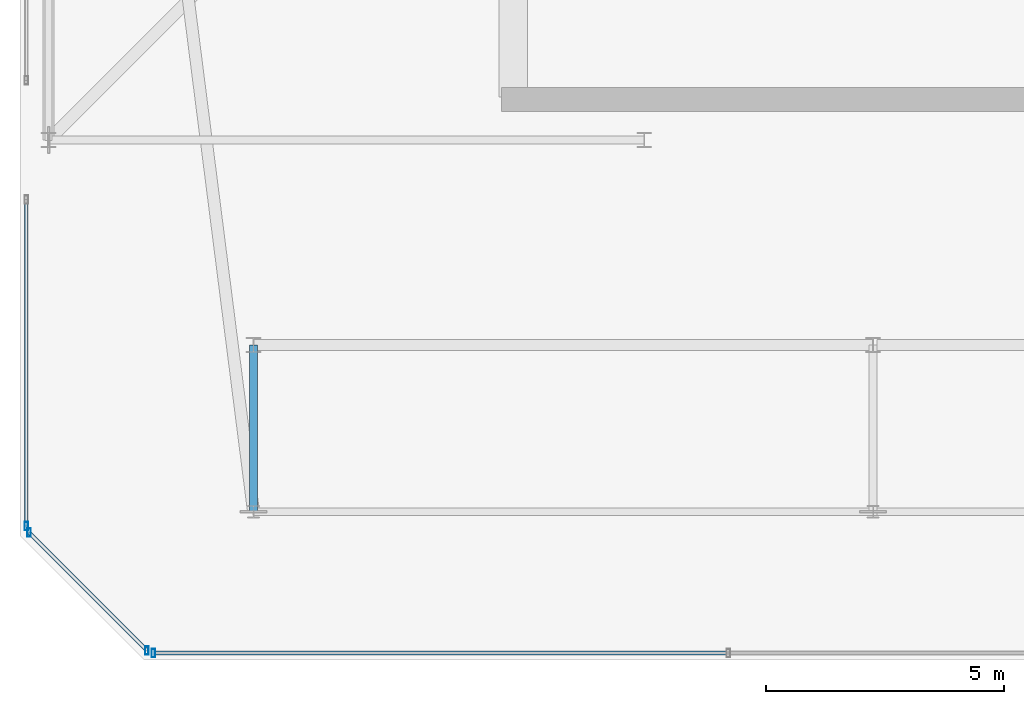
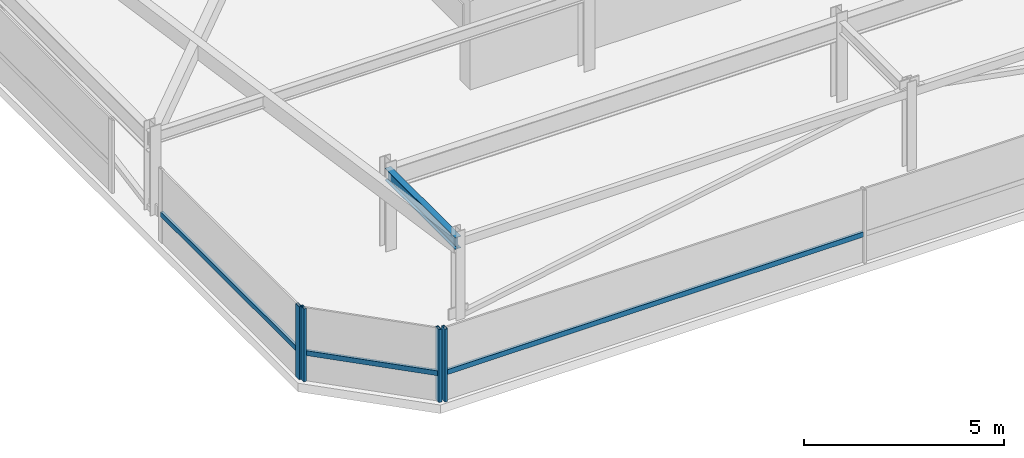
# One storey, part 9 of 44: 7 members, 1 beam, 3 elements without a shape of their own.
"""IFC4 building model written with IfcOpenShell, lengths in metres."""

from ifc_helpers import new_model, si_unit, direction, frame, origin, origin_2d, place, context, subcontext, project, spatial, hollow_rectangle, i_section, extrude, material, material_profile, profile_set, type_object, element, aggregate, save


model = new_model("IFC4")

# Units and contexts
model_context = context("Model", 3, precision=1e-05, world=origin(), true_north=direction((0.0, 1.0)))
body_context = subcontext(model_context, "Body", "Model", "MODEL_VIEW")
ifc_project = project(units=[si_unit("LENGTHUNIT", "METRE"), si_unit("AREAUNIT", "SQUARE_METRE"), si_unit("VOLUMEUNIT", "CUBIC_METRE"), si_unit("PLANEANGLEUNIT", "RADIAN"), si_unit("MASSUNIT", "GRAM", prefix="KILO")], contexts=[model_context])

# Site, building, storey
site_placement = place(None, origin())
site = spatial("IfcSite", under=ifc_project, at=site_placement, CompositionType="ELEMENT")
building_placement = place(site_placement, origin())
building = spatial("IfcBuilding", under=site, at=building_placement, Name="Thornwick Lancets Civic Towers", CompositionType="ELEMENT")
storey_placement = place(building_placement, frame((0.0, 0.0, 294.89990234375)))
storey = spatial("IfcBuildingStorey", under=building, at=storey_placement, Name="C06", CompositionType="ELEMENT", Elevation=294.89990234375)

# Beam
ifc_material_1 = material(Name="Steel S355JR", Category="steel")
ifc_material_profile_1 = material_profile(ifc_material_1, i_section(OverallWidth=0.173095703125, OverallDepth=0.36328125, WebThickness=0.009033203125, FlangeThickness=0.015625, FilletRadius=0.01025390625, at=origin_2d()), Name="UKB 356x171x67")
ifc_profile_set_1 = profile_set([ifc_material_profile_1], Name="Steel S355JR")
beam_type = type_object("IfcBeamType", Name="BM_JOIST_356_67", PredefinedType="JOIST", material=ifc_profile_set_1)
beam_placement = place(storey_placement, frame((12.5, 9.699951171875, 2.25830078125), z_axis=(0.0, -1.0, 0.0), x_axis=(1.0, 0.0, 0.0)))
element("IfcBeam", 1, at=beam_placement, inside=storey, type_object=beam_type, Name="BM-RAD-C06-A01", PredefinedType="JOIST", context=body_context, shape_type="SweptSolid", body=[
    extrude(i_section(OverallWidth=0.173095703125, OverallDepth=0.36328125, WebThickness=0.009033203125, FlangeThickness=0.015625, FilletRadius=0.01025390625, at=origin_2d()), origin(), (0.0, 0.0, 1.0), 3.5),
])

# Curtain wall, member
ifc_material_2 = material(Name="Crown ring acoustic-louvre and glazing screen wall", Category="glass")
curtain_wall_type = type_object("IfcCurtainWallType", Name="CW_SYS_07", PredefinedType="NOTDEFINED", material=ifc_material_2)
curtain_wall_1_placement = place(storey_placement, origin())
curtain_wall_1 = element("IfcCurtainWall", 2, at=curtain_wall_1_placement, inside=storey, type_object=curtain_wall_type, Name="C06 Curtain Wall CW-C06-A-E0", PredefinedType="NOTDEFINED")
ifc_material_3 = material(Name="Thermally broken bronze aluminium S355", Category="steel")
ifc_material_profile_2 = material_profile(ifc_material_3, hollow_rectangle(XDim=0.074951171875, YDim=0.179931640625, WallThickness=0.006103515625, at=origin_2d()), Name="RHS 180x75x6")
ifc_profile_set_2 = profile_set([ifc_material_profile_2], Name="Thermally broken bronze aluminium S355")
member_type_1 = type_object("IfcMemberType", Name="CW_MUL_180", PredefinedType="MULLION", material=ifc_profile_set_2)
member_1_placement = place(storey_placement, frame((10.398681640625, 3.2353515625, 0.0), z_axis=(0.0, 0.0, 1.0), x_axis=(1.0, 0.0, 0.0)))
member_1 = element("IfcMember", 3, at=member_1_placement, type_object=member_type_1, Name="CW-C06-A-E0 Mullion 0", PredefinedType="MULLION", context=body_context, shape_type="SweptSolid", body=[
    extrude(hollow_rectangle(XDim=0.074951171875, YDim=0.179931640625, WallThickness=0.006103515625, at=origin_2d()), origin(), (0.0, 0.0, 1.0), 2.22021484375),
])

curtain_wall_2_placement = place(storey_placement, origin())
curtain_wall_2 = element("IfcCurtainWall", 4, at=curtain_wall_2_placement, inside=storey, type_object=curtain_wall_type, Name="C06 Curtain Wall CW-C06-A-E6-S3", PredefinedType="NOTDEFINED")
member_2_placement = place(storey_placement, frame((7.7353515625, 5.898681640625, 0.0), z_axis=(0.0, 0.0, 1.0), x_axis=(1.0, 0.0, 0.0)))
member_2 = element("IfcMember", 5, at=member_2_placement, type_object=member_type_1, Name="CW-C06-A-E6-S3 Mullion 1", PredefinedType="MULLION", context=body_context, shape_type="SweptSolid", body=[
    extrude(hollow_rectangle(XDim=0.074951171875, YDim=0.179931640625, WallThickness=0.006103515625, at=origin_2d()), origin(), (0.0, 0.0, 1.0), 2.22021484375),
])

# Curtain wall, members
curtain_wall_3_placement = place(storey_placement, origin())
curtain_wall_3 = element("IfcCurtainWall", 6, at=curtain_wall_3_placement, inside=storey, type_object=curtain_wall_type, Name="C06 Curtain Wall CW-C06-A-E7", PredefinedType="NOTDEFINED")
member_3_placement = place(storey_placement, frame((7.7919921875, 5.761962890625, 0.0), z_axis=(0.0, 0.0, 1.0), x_axis=(1.0, 0.0, 0.0)))
member_3 = element("IfcMember", 7, at=member_3_placement, type_object=member_type_1, Name="CW-C06-A-E7 Mullion 0", PredefinedType="MULLION", context=body_context, shape_type="SweptSolid", body=[
    extrude(hollow_rectangle(XDim=0.074951171875, YDim=0.179931640625, WallThickness=0.006103515625, at=origin_2d()), origin(), (0.0, 0.0, 1.0), 2.22021484375),
])
member_4_placement = place(storey_placement, frame((10.261962890625, 3.2919921875, 0.0), z_axis=(0.0, 0.0, 1.0), x_axis=(1.0, 0.0, 0.0)))
member_4 = element("IfcMember", 8, at=member_4_placement, type_object=member_type_1, Name="CW-C06-A-E7 Mullion 1", PredefinedType="MULLION", context=body_context, shape_type="SweptSolid", body=[
    extrude(hollow_rectangle(XDim=0.074951171875, YDim=0.179931640625, WallThickness=0.006103515625, at=origin_2d()), origin(), (0.0, 0.0, 1.0), 2.22021484375),
])

# Member
ifc_material_profile_3 = material_profile(ifc_material_3, hollow_rectangle(XDim=0.074951171875, YDim=0.14990234375, WallThickness=0.0048828125, at=origin_2d()), Name="RHS 150x75x5")
ifc_profile_set_3 = profile_set([ifc_material_profile_3], Name="Thermally broken bronze aluminium S355")
member_type_2 = type_object("IfcMemberType", Name="CW_TRN_150", PredefinedType="USERDEFINED", material=ifc_profile_set_3)
member_5_placement = place(storey_placement, frame((10.418701171875, 3.2353515625, 0.85009765625), z_axis=(1.0, 0.0, 0.0), x_axis=(0.0, 1.0, 0.0)))
member_5 = element("IfcMember", 9, at=member_5_placement, type_object=member_type_2, Name="CW-C06-A-E0 Transom 0", ObjectType="TRANSOM", PredefinedType="USERDEFINED", context=body_context, shape_type="SweptSolid", body=[
    extrude(hollow_rectangle(XDim=0.074951171875, YDim=0.14990234375, WallThickness=0.0048828125, at=origin_2d()), origin(), (0.0, 0.0, 1.0), 12.027587890625),
])

aggregate(curtain_wall_1, [member_1, member_5])

member_6_placement = place(storey_placement, frame((7.7353515625, 12.72998046875, 0.85009765625), z_axis=(0.0, -1.0, 0.0), x_axis=(1.0, 0.0, 0.0)))
member_6 = element("IfcMember", 10, at=member_6_placement, type_object=member_type_2, Name="CW-C06-A-E6-S3 Transom 0", ObjectType="TRANSOM", PredefinedType="USERDEFINED", context=body_context, shape_type="SweptSolid", body=[
    extrude(hollow_rectangle(XDim=0.074951171875, YDim=0.14990234375, WallThickness=0.0048828125, at=origin_2d()), origin(), (0.0, 0.0, 1.0), 6.811279296875),
])

aggregate(curtain_wall_2, [member_2, member_6])

member_7_placement = place(storey_placement, frame((7.80615234375, 5.747802734375, 0.85009765625), z_axis=(0.707106781187, -0.707106781187, 0.0), x_axis=(0.707106781187, 0.707106781187, 0.0)))
member_7 = element("IfcMember", 11, at=member_7_placement, type_object=member_type_2, Name="CW-C06-A-E7 Transom 0", ObjectType="TRANSOM", PredefinedType="USERDEFINED", context=body_context, shape_type="SweptSolid", body=[
    extrude(hollow_rectangle(XDim=0.074951171875, YDim=0.14990234375, WallThickness=0.0048828125, at=origin_2d()), origin(), (0.0, 0.0, 1.0), 3.453125),
])

aggregate(curtain_wall_3, [member_3, member_4, member_7])

save(model, "model.ifc")
